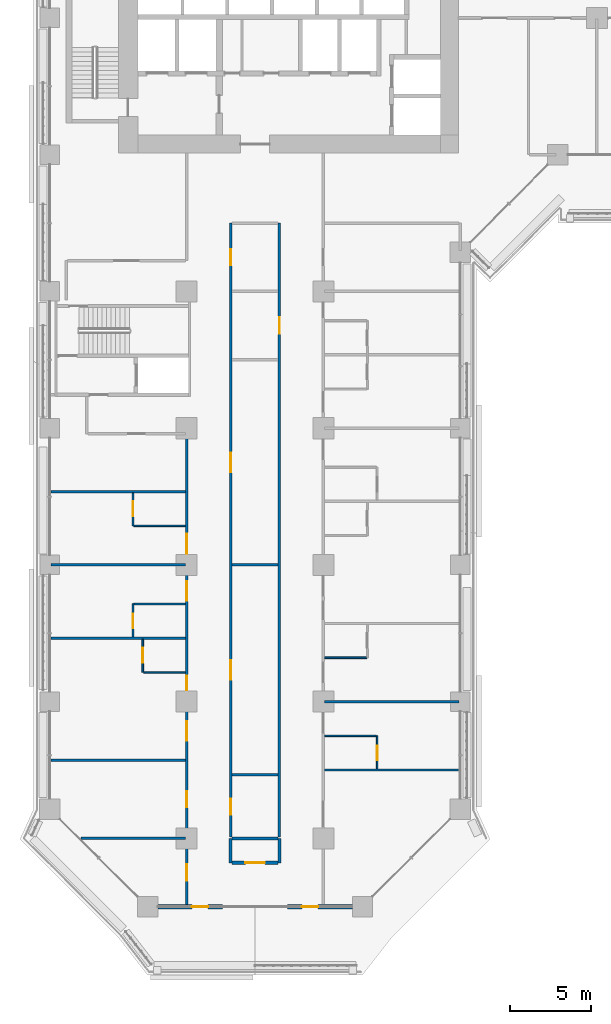
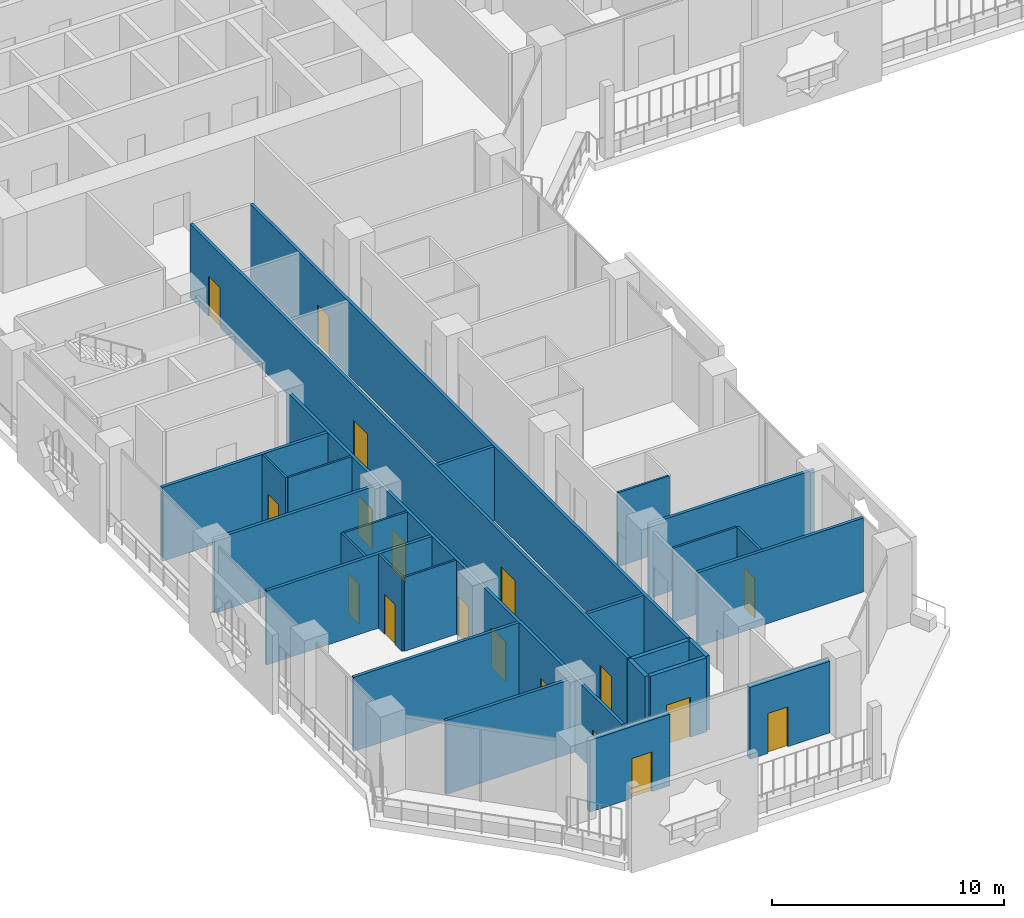
# One storey, part 13 of 29: 27 walls, 18 doors, 18 openings.
"""IFC4 building model written with IfcOpenShell, lengths in metres."""

from ifc_helpers import new_model, si_unit, direction, frame, frame_2d, origin, place, context, subcontext, project, spatial, rectangle, extrude, material, layer, layer_set, type_object, element, fill, save


model = new_model("IFC4")

# Units and contexts
model_context = context("Model", 3, precision=1e-05, world=origin(), true_north=direction((0.0, 1.0)))
body_context = subcontext(model_context, "Body", "Model", "MODEL_VIEW")
ifc_project = project(units=[si_unit("LENGTHUNIT", "METRE"), si_unit("AREAUNIT", "SQUARE_METRE"), si_unit("VOLUMEUNIT", "CUBIC_METRE"), si_unit("PLANEANGLEUNIT", "RADIAN"), si_unit("MASSUNIT", "GRAM", prefix="KILO")], contexts=[model_context])

# Site, building, storey
site_placement = place(None, origin())
site = spatial("IfcSite", under=ifc_project, at=site_placement, CompositionType="ELEMENT")
building_placement = place(site_placement, origin())
building = spatial("IfcBuilding", under=site, at=building_placement, Name="Kawkab Arch Medical Tower", CompositionType="ELEMENT")
storey_placement = place(building_placement, frame((0.0, 0.0, 64.39990234375)))
storey = spatial("IfcBuildingStorey", under=building, at=storey_placement, Name="L14", CompositionType="ELEMENT", Elevation=64.39990234375)

# Wall, opening, door
ifc_material_1 = material(Name="Bronze clad insulated wall panel")
ifc_layer_1 = layer(ifc_material_1, 0.25)
ifc_layer_set_1 = layer_set([ifc_layer_1], Name="Bronze clad insulated wall panel")
wall_type_1 = type_object("IfcWallType", Name="External wall bay 250", PredefinedType="SOLIDWALL", material=ifc_layer_set_1)
wall_1_placement = place(storey_placement, frame((6.625, -71.39990234375, 0.0), z_axis=(0.0, 0.0, 1.0), x_axis=(1.0, 0.0, 0.0)))
wall_1 = element("IfcWall", 1, at=wall_1_placement, inside=storey, type_object=wall_type_1, Name="External wall bay L14.R03.1.1", PredefinedType="SOLIDWALL", context=body_context, shape_type="SweptSolid", body=[
    extrude(rectangle(XDim=3.9833984375, YDim=0.25, at=frame_2d((1.99169921875, 0.0))), origin(), (0.0, 0.0, 1.0), 3.780029296875),
])
opening_1_placement = place(wall_1_placement, frame((2.091796875, 0.0, 0.0)))
opening_1 = element("IfcOpeningElement", 2, at=opening_1_placement, cuts=wall_1, Name="Opening W14-701", PredefinedType="OPENING", context=body_context, shape_type="SweptSolid", body=[
    extrude(rectangle(XDim=1.0, YDim=2.10009765625, at=frame_2d((0.5, 1.050048828125))), frame((0.0, 0.135009765625, 0.0), z_axis=(0.0, -1.0, 0.0), x_axis=(1.0, 0.0, 0.0)), (0.0, 0.0, 1.0), 0.27001953125),
])
ifc_material_2 = material(Name="Bronze anodised aluminium door with tinted glass", Category="aluminium")
door_type_1 = type_object("IfcDoorType", Name="Single external door 1000 x 2100", OperationType="SINGLE_SWING_LEFT", PredefinedType="DOOR", material=ifc_material_2)
door_1_placement = place(opening_1_placement, origin())
door_1 = element("IfcDoor", 3, at=door_1_placement, inside=storey, type_object=door_type_1, Name="External door L14.R03.1.1", OperationType="SINGLE_SWING_LEFT", OverallHeight=2.10009765625, OverallWidth=1.0, PredefinedType="DOOR", context=body_context, shape_type="SweptSolid", body=[
    extrude(rectangle(XDim=1.0, YDim=2.10009765625, at=frame_2d((0.5, 1.050048828125))), frame((0.0, 0.02490234375, 0.0), z_axis=(0.0, -1.0, 0.0), x_axis=(1.0, 0.0, 0.0)), (0.0, 0.0, 1.0), 0.050048828125),
])
fill(opening_1, door_1)

wall_2_placement = place(storey_placement, frame((14.591552734375, -71.39990234375, 0.0), z_axis=(0.0, 0.0, 1.0), x_axis=(1.0, 0.0, 0.0)))
wall_2 = element("IfcWall", 4, at=wall_2_placement, inside=storey, type_object=wall_type_1, Name="External wall bay L14.R03.1.3", PredefinedType="SOLIDWALL", context=body_context, shape_type="SweptSolid", body=[
    extrude(rectangle(XDim=3.9833984375, YDim=0.25, at=frame_2d((1.99169921875, 0.0))), origin(), (0.0, 0.0, 1.0), 3.780029296875),
])
opening_2_placement = place(wall_2_placement, frame((0.8916015625, 0.0, 0.0)))
opening_2 = element("IfcOpeningElement", 5, at=opening_2_placement, cuts=wall_2, Name="Opening W14-701", PredefinedType="OPENING", context=body_context, shape_type="SweptSolid", body=[
    extrude(rectangle(XDim=1.0, YDim=2.10009765625, at=frame_2d((0.5, 1.050048828125))), frame((0.0, 0.135009765625, 0.0), z_axis=(0.0, -1.0, 0.0), x_axis=(1.0, 0.0, 0.0)), (0.0, 0.0, 1.0), 0.27001953125),
])
door_2_placement = place(opening_2_placement, origin())
door_2 = element("IfcDoor", 6, at=door_2_placement, inside=storey, type_object=door_type_1, Name="External door L14.R03.1.3", OperationType="SINGLE_SWING_LEFT", OverallHeight=2.10009765625, OverallWidth=1.0, PredefinedType="DOOR", context=body_context, shape_type="SweptSolid", body=[
    extrude(rectangle(XDim=1.0, YDim=2.10009765625, at=frame_2d((0.5, 1.050048828125))), frame((0.0, 0.02490234375, 0.0), z_axis=(0.0, -1.0, 0.0), x_axis=(1.0, 0.0, 0.0)), (0.0, 0.0, 1.0), 0.050048828125),
])
fill(opening_2, door_2)

# Walls
ifc_material_3 = material(Name="Gypsum board partition on steel studs", Category="steel")
ifc_layer_2 = layer(ifc_material_3, 0.10009765625)
ifc_layer_set_2 = layer_set([ifc_layer_2], Name="Gypsum board partition on steel studs")
wall_type_2 = type_object("IfcWallType", Name="Partition 100", PredefinedType="PARTITIONING", material=ifc_layer_set_2)
wall_3_placement = place(storey_placement, frame((16.875, -60.89990234375, 0.0), z_axis=(0.0, 0.0, 1.0), x_axis=(1.0, 0.0, 0.0)))
element("IfcWall", 7, at=wall_3_placement, inside=storey, type_object=wall_type_2, Name="Partition 100 w001", PredefinedType="PARTITIONING", context=body_context, shape_type="SweptSolid", body=[
    extrude(rectangle(XDim=3.175048828125, YDim=0.10009765625, at=frame_2d((1.58740234375, 0.0))), origin(), (0.0, 0.0, 1.0), 3.900146484375),
])
wall_4_placement = place(storey_placement, frame((5.7509765625, -57.0, 0.0), z_axis=(0.0, 0.0, 1.0), x_axis=(1.0, 0.0, 0.0)))
element("IfcWall", 8, at=wall_4_placement, inside=storey, type_object=wall_type_2, Name="Partition 100 w002", PredefinedType="PARTITIONING", context=body_context, shape_type="SweptSolid", body=[
    extrude(rectangle(XDim=2.573974609375, YDim=0.10009765625, at=frame_2d((1.287109375, 0.0))), origin(), (0.0, 0.0, 1.0), 3.900146484375),
])
wall_5_placement = place(storey_placement, frame((16.875, -56.10009765625, 0.0), z_axis=(0.0, 0.0, 1.0), x_axis=(1.0, 0.0, 0.0)))
element("IfcWall", 9, at=wall_5_placement, inside=storey, type_object=wall_type_2, Name="Partition 100 w003", PredefinedType="PARTITIONING", context=body_context, shape_type="SweptSolid", body=[
    extrude(rectangle(XDim=2.574951171875, YDim=0.10009765625, at=frame_2d((1.28759765625, 0.0))), origin(), (0.0, 0.0, 1.0), 3.900146484375),
])
for number, where, z_axis, x_axis, name in (
    (10, (5.14990234375, -52.800048828125, 0.0), (0.0, 0.0, 1.0), (1.0, 0.0, 0.0), "Partition 100 w004"),
    (11, (5.14990234375, -48.0, 0.0), (0.0, 0.0, 1.0), (1.0, 0.0, 0.0), "Partition 100 w006"),
):
    element("IfcWall", number, at=place(storey_placement, frame(where, z_axis=z_axis, x_axis=x_axis)), inside=storey, type_object=wall_type_2, Name=name, PredefinedType="PARTITIONING", context=body_context, shape_type="SweptSolid", body=[
        extrude(rectangle(XDim=3.175048828125, YDim=0.10009765625, at=frame_2d((1.58740234375, 0.0))), origin(), (0.0, 0.0, 1.0), 3.900146484375),
    ])

# Wall, opening, door
wall_6_placement = place(storey_placement, frame((5.10009765625, -54.824951171875, 0.0), z_axis=(0.0, 0.0, 1.0), x_axis=(0.0, 1.0, 0.0)))
wall_6 = element("IfcWall", 12, at=wall_6_placement, inside=storey, type_object=wall_type_2, Name="Partition 100 w019", PredefinedType="PARTITIONING", context=body_context, shape_type="SweptSolid", body=[
    extrude(rectangle(XDim=2.02490234375, YDim=0.10009765625, at=frame_2d((1.012451171875, 0.0))), origin(), (0.0, 0.0, 1.0), 3.900146484375),
])
opening_3_placement = place(wall_6_placement, frame((0.52490234375, 0.0, 0.0)))
opening_3 = element("IfcOpeningElement", 13, at=opening_3_placement, cuts=wall_6, Name="Opening W14-020", PredefinedType="OPENING", context=body_context, shape_type="SweptSolid", body=[
    extrude(rectangle(XDim=0.89990234375, YDim=2.10009765625, at=frame_2d((0.449951171875, 1.050048828125))), frame((0.0, 0.06005859375, 0.0), z_axis=(0.0, -1.0, 0.0), x_axis=(1.0, 0.0, 0.0)), (0.0, 0.0, 1.0), 0.1201171875),
])
ifc_material_4 = material(Name="Timber door leaf", Category="wood")
door_type_2 = type_object("IfcDoorType", Name="Single door 900x2100", OperationType="NOTDEFINED", PredefinedType="DOOR", material=ifc_material_4)
door_3_placement = place(opening_3_placement, origin())
door_3 = element("IfcDoor", 14, at=door_3_placement, inside=storey, type_object=door_type_2, Name="Door W14-020", OperationType="SINGLE_SWING_RIGHT", OverallHeight=2.10009765625, OverallWidth=0.89990234375, PredefinedType="DOOR", context=body_context, shape_type="SweptSolid", body=[
    extrude(rectangle(XDim=0.89990234375, YDim=2.10009765625, at=frame_2d((0.449951171875, 1.050048828125))), frame((0.0, 0.02490234375, 0.0), z_axis=(0.0, -1.0, 0.0), x_axis=(1.0, 0.0, 0.0)), (0.0, 0.0, 1.0), 0.050048828125),
])
fill(opening_3, door_3)

wall_7_placement = place(storey_placement, frame((5.10009765625, -48.0, 0.0), z_axis=(0.0, 0.0, 1.0), x_axis=(0.0, 1.0, 0.0)))
wall_7 = element("IfcWall", 15, at=wall_7_placement, inside=storey, type_object=wall_type_2, Name="Partition 100 w020", PredefinedType="PARTITIONING", context=body_context, shape_type="SweptSolid", body=[
    extrude(rectangle(XDim=2.02490234375, YDim=0.10009765625, at=frame_2d((1.012451171875, 0.0))), origin(), (0.0, 0.0, 1.0), 3.900146484375),
])
opening_4_placement = place(wall_7_placement, frame((0.60009765625, 0.0, 0.0)))
opening_4 = element("IfcOpeningElement", 16, at=opening_4_placement, cuts=wall_7, Name="Opening W14-019", PredefinedType="OPENING", context=body_context, shape_type="SweptSolid", body=[
    extrude(rectangle(XDim=0.89990234375, YDim=2.10009765625, at=frame_2d((0.449951171875, 1.050048828125))), frame((0.0, 0.06005859375, 0.0), z_axis=(0.0, -1.0, 0.0), x_axis=(1.0, 0.0, 0.0)), (0.0, 0.0, 1.0), 0.1201171875),
])
door_4_placement = place(opening_4_placement, origin())
door_4 = element("IfcDoor", 17, at=door_4_placement, inside=storey, type_object=door_type_2, Name="Door W14-019", OperationType="SINGLE_SWING_RIGHT", OverallHeight=2.10009765625, OverallWidth=0.89990234375, PredefinedType="DOOR", context=body_context, shape_type="SweptSolid", body=[
    extrude(rectangle(XDim=0.89990234375, YDim=2.10009765625, at=frame_2d((0.449951171875, 1.050048828125))), frame((0.0, 0.02490234375, 0.0), z_axis=(0.0, -1.0, 0.0), x_axis=(1.0, 0.0, 0.0)), (0.0, 0.0, 1.0), 0.050048828125),
])
fill(opening_4, door_4)

wall_8_placement = place(storey_placement, frame((5.699951171875, -56.998046875, 0.0), z_axis=(0.0, 0.0, 1.0), x_axis=(0.0, 1.0, 0.0)))
wall_8 = element("IfcWall", 18, at=wall_8_placement, inside=storey, type_object=wall_type_2, Name="Partition 100 w021", PredefinedType="PARTITIONING", context=body_context, shape_type="SweptSolid", body=[
    extrude(rectangle(XDim=2.02294921875, YDim=0.10009765625, at=frame_2d((1.011474609375, 0.0))), origin(), (0.0, 0.0, 1.0), 3.900146484375),
])
opening_5_placement = place(wall_8_placement, frame((0.59912109375, 0.0, 0.0)))
opening_5 = element("IfcOpeningElement", 19, at=opening_5_placement, cuts=wall_8, Name="Opening W14-021", PredefinedType="OPENING", context=body_context, shape_type="SweptSolid", body=[
    extrude(rectangle(XDim=0.89990234375, YDim=2.10009765625, at=frame_2d((0.449951171875, 1.050048828125))), frame((0.0, 0.06005859375, 0.0), z_axis=(0.0, -1.0, 0.0), x_axis=(1.0, 0.0, 0.0)), (0.0, 0.0, 1.0), 0.1201171875),
])
door_5_placement = place(opening_5_placement, origin())
door_5 = element("IfcDoor", 20, at=door_5_placement, inside=storey, type_object=door_type_2, Name="Door W14-021", OperationType="SINGLE_SWING_LEFT", OverallHeight=2.10009765625, OverallWidth=0.89990234375, PredefinedType="DOOR", context=body_context, shape_type="SweptSolid", body=[
    extrude(rectangle(XDim=0.89990234375, YDim=2.10009765625, at=frame_2d((0.449951171875, 1.050048828125))), frame((0.0, 0.02490234375, 0.0), z_axis=(0.0, -1.0, 0.0), x_axis=(1.0, 0.0, 0.0)), (0.0, 0.0, 1.0), 0.050048828125),
])
fill(opening_5, door_5)

wall_9_placement = place(storey_placement, frame((20.10009765625, -62.925048828125, 0.0), z_axis=(0.0, 0.0, 1.0), x_axis=(0.0, 1.0, 0.0)))
wall_9 = element("IfcWall", 21, at=wall_9_placement, inside=storey, type_object=wall_type_2, Name="Partition 100 w025", PredefinedType="PARTITIONING", context=body_context, shape_type="SweptSolid", body=[
    extrude(rectangle(XDim=2.025146484375, YDim=0.10009765625, at=frame_2d((1.0126953125, 0.0))), origin(), (0.0, 0.0, 1.0), 3.900146484375),
])
opening_6_placement = place(wall_9_placement, frame((0.52490234375, 0.0, 0.0)))
opening_6 = element("IfcOpeningElement", 22, at=opening_6_placement, cuts=wall_9, Name="Opening W14-027", PredefinedType="OPENING", context=body_context, shape_type="SweptSolid", body=[
    extrude(rectangle(XDim=0.89990234375, YDim=2.10009765625, at=frame_2d((0.449951171875, 1.050048828125))), frame((0.0, 0.06005859375, 0.0), z_axis=(0.0, -1.0, 0.0), x_axis=(1.0, 0.0, 0.0)), (0.0, 0.0, 1.0), 0.1201171875),
])
door_6_placement = place(opening_6_placement, origin())
door_6 = element("IfcDoor", 23, at=door_6_placement, inside=storey, type_object=door_type_2, Name="Door W14-027", OperationType="SINGLE_SWING_RIGHT", OverallHeight=2.10009765625, OverallWidth=0.89990234375, PredefinedType="DOOR", context=body_context, shape_type="SweptSolid", body=[
    extrude(rectangle(XDim=0.89990234375, YDim=2.10009765625, at=frame_2d((0.449951171875, 1.050048828125))), frame((0.0, 0.02490234375, 0.0), z_axis=(0.0, -1.0, 0.0), x_axis=(1.0, 0.0, 0.0)), (0.0, 0.0, 1.0), 0.050048828125),
])
fill(opening_6, door_6)

# Walls
ifc_material_5 = material(Name="Gypsum board partition on steel studs, mineral wool", Category="steel")
ifc_layer_3 = layer(ifc_material_5, 0.14990234375)
ifc_layer_set_3 = layer_set([ifc_layer_3], Name="Gypsum board partition on steel studs, mineral wool")
wall_type_3 = type_object("IfcWallType", Name="Partition 150", PredefinedType="PARTITIONING", material=ifc_layer_set_3)
wall_10_placement = place(storey_placement, frame((1.9130859375, -67.199951171875, 0.0), z_axis=(0.0, 0.0, 1.0), x_axis=(1.0, 0.0, 0.0)))
element("IfcWall", 24, at=wall_10_placement, inside=storey, type_object=wall_type_3, Name="Partition 150 w040", PredefinedType="PARTITIONING", context=body_context, shape_type="SweptSolid", body=[
    extrude(rectangle(XDim=6.411865234375, YDim=0.14990234375, at=frame_2d((3.2060546875, 0.0))), origin(), (0.0, 0.0, 1.0), 3.900146484375),
])
wall_11_placement = place(storey_placement, frame((11.175048828125, -63.300048828125, 0.0), z_axis=(0.0, 0.0, 1.0), x_axis=(1.0, 0.0, 0.0)))
element("IfcWall", 25, at=wall_11_placement, inside=storey, type_object=wall_type_3, Name="Partition 150 w041", PredefinedType="PARTITIONING", context=body_context, shape_type="SweptSolid", body=[
    extrude(rectangle(XDim=2.849853515625, YDim=0.14990234375, at=frame_2d((1.4248046875, 0.0))), origin(), (0.0, 0.0, 1.0), 3.900146484375),
])
wall_12_placement = place(storey_placement, frame((16.875, -63.0, 0.0), z_axis=(0.0, 0.0, 1.0), x_axis=(1.0, 0.0, 0.0)))
element("IfcWall", 26, at=wall_12_placement, inside=storey, type_object=wall_type_3, Name="Partition 150 w042", PredefinedType="PARTITIONING", context=body_context, shape_type="SweptSolid", body=[
    extrude(rectangle(XDim=8.2451171875, YDim=0.14990234375, at=frame_2d((4.12255859375, 0.0))), origin(), (0.0, 0.0, 1.0), 3.900146484375),
])
wall_13_placement = place(storey_placement, frame((0.080078125, -62.39990234375, 0.0), z_axis=(0.0, 0.0, 1.0), x_axis=(1.0, 0.0, 0.0)))
element("IfcWall", 27, at=wall_13_placement, inside=storey, type_object=wall_type_3, Name="Partition 150 w043", PredefinedType="PARTITIONING", context=body_context, shape_type="SweptSolid", body=[
    extrude(rectangle(XDim=8.244873046875, YDim=0.14990234375, at=frame_2d((4.12255859375, 0.0))), origin(), (0.0, 0.0, 1.0), 3.900146484375),
])
wall_14_placement = place(storey_placement, frame((16.875, -58.800048828125, 0.0), z_axis=(0.0, 0.0, 1.0), x_axis=(1.0, 0.0, 0.0)))
element("IfcWall", 28, at=wall_14_placement, inside=storey, type_object=wall_type_3, Name="Partition 150 w044", PredefinedType="PARTITIONING", context=body_context, shape_type="SweptSolid", body=[
    extrude(rectangle(XDim=8.2451171875, YDim=0.14990234375, at=frame_2d((4.12255859375, 0.0))), origin(), (0.0, 0.0, 1.0), 3.900146484375),
])
for number, where, z_axis, x_axis, name in (
    (29, (0.080078125, -54.89990234375, 0.0), (0.0, 0.0, 1.0), (1.0, 0.0, 0.0), "Partition 150 w045"),
    (30, (0.080078125, -50.39990234375, 0.0), (0.0, 0.0, 1.0), (1.0, 0.0, 0.0), "Partition 150 w047"),
):
    element("IfcWall", number, at=place(storey_placement, frame(where, z_axis=z_axis, x_axis=x_axis)), inside=storey, type_object=wall_type_3, Name=name, PredefinedType="PARTITIONING", context=body_context, shape_type="SweptSolid", body=[
        extrude(rectangle(XDim=8.244873046875, YDim=0.14990234375, at=frame_2d((4.12255859375, 0.0))), origin(), (0.0, 0.0, 1.0), 3.900146484375),
    ])
wall_15_placement = place(storey_placement, frame((11.175048828125, -50.39990234375, 0.0), z_axis=(0.0, 0.0, 1.0), x_axis=(1.0, 0.0, 0.0)))
element("IfcWall", 31, at=wall_15_placement, inside=storey, type_object=wall_type_3, Name="Partition 150 w048", PredefinedType="PARTITIONING", context=body_context, shape_type="SweptSolid", body=[
    extrude(rectangle(XDim=2.849853515625, YDim=0.14990234375, at=frame_2d((1.4248046875, 0.0))), origin(), (0.0, 0.0, 1.0), 3.900146484375),
])
wall_16_placement = place(storey_placement, frame((0.080078125, -45.89990234375, 0.0), z_axis=(0.0, 0.0, 1.0), x_axis=(1.0, 0.0, 0.0)))
element("IfcWall", 32, at=wall_16_placement, inside=storey, type_object=wall_type_3, Name="Partition 150 w050", PredefinedType="PARTITIONING", context=body_context, shape_type="SweptSolid", body=[
    extrude(rectangle(XDim=8.244873046875, YDim=0.14990234375, at=frame_2d((4.12255859375, 0.0))), origin(), (0.0, 0.0, 1.0), 3.900146484375),
])

# Wall, openings, doors
wall_17_placement = place(storey_placement, frame((8.39990234375, -71.320068359375, 0.0), z_axis=(0.0, 0.0, 1.0), x_axis=(0.0, 1.0, 0.0)))
wall_17 = element("IfcWall", 33, at=wall_17_placement, inside=storey, type_object=wall_type_3, Name="Partition 150 w073", PredefinedType="PARTITIONING", context=body_context, shape_type="SweptSolid", body=[
    extrude(rectangle(XDim=28.969970703125, YDim=0.14990234375, at=frame_2d((14.48486328125, 0.0))), origin(), (0.0, 0.0, 1.0), 3.900146484375),
])
opening_7_placement = place(wall_17_placement, frame((21.6201171875, 0.0, 0.0)))
opening_7 = element("IfcOpeningElement", 34, at=opening_7_placement, cuts=wall_17, Name="Opening W14-065", PredefinedType="OPENING", context=body_context, shape_type="SweptSolid", body=[
    extrude(rectangle(XDim=1.199951171875, YDim=2.10009765625, at=frame_2d((0.60009765625, 1.050048828125))), frame((0.0, 0.0849609375, 0.0), z_axis=(0.0, -1.0, 0.0), x_axis=(1.0, 0.0, 0.0)), (0.0, 0.0, 1.0), 0.169921875),
])
opening_8_placement = place(wall_17_placement, frame((18.719970703125, 0.0, 0.0)))
opening_8 = element("IfcOpeningElement", 35, at=opening_8_placement, cuts=wall_17, Name="Opening W14-066", PredefinedType="OPENING", context=body_context, shape_type="SweptSolid", body=[
    extrude(rectangle(XDim=1.199951171875, YDim=2.10009765625, at=frame_2d((0.60009765625, 1.050048828125))), frame((0.0, 0.0849609375, 0.0), z_axis=(0.0, -1.0, 0.0), x_axis=(1.0, 0.0, 0.0)), (0.0, 0.0, 1.0), 0.169921875),
])
opening_9_placement = place(wall_17_placement, frame((10.1201171875, 0.0, 0.0)))
opening_9 = element("IfcOpeningElement", 36, at=opening_9_placement, cuts=wall_17, Name="Opening W14-067", PredefinedType="OPENING", context=body_context, shape_type="SweptSolid", body=[
    extrude(rectangle(XDim=1.199951171875, YDim=2.10009765625, at=frame_2d((0.60009765625, 1.050048828125))), frame((0.0, 0.0849609375, 0.0), z_axis=(0.0, -1.0, 0.0), x_axis=(1.0, 0.0, 0.0)), (0.0, 0.0, 1.0), 0.169921875),
])
opening_10_placement = place(wall_17_placement, frame((13.219970703125, 0.0, 0.0)))
opening_10 = element("IfcOpeningElement", 37, at=opening_10_placement, cuts=wall_17, Name="Opening W14-028", PredefinedType="OPENING", context=body_context, shape_type="SweptSolid", body=[
    extrude(rectangle(XDim=0.89990234375, YDim=2.10009765625, at=frame_2d((0.449951171875, 1.050048828125))), frame((0.0, 0.0849609375, 0.0), z_axis=(0.0, -1.0, 0.0), x_axis=(1.0, 0.0, 0.0)), (0.0, 0.0, 1.0), 0.169921875),
])
opening_11_placement = place(wall_17_placement, frame((6.02001953125, 0.0, 0.0)))
opening_11 = element("IfcOpeningElement", 38, at=opening_11_placement, cuts=wall_17, Name="Opening W14-041", PredefinedType="OPENING", context=body_context, shape_type="SweptSolid", body=[
    extrude(rectangle(XDim=1.0, YDim=2.10009765625, at=frame_2d((0.5, 1.050048828125))), frame((0.0, 0.0849609375, 0.0), z_axis=(0.0, -1.0, 0.0), x_axis=(1.0, 0.0, 0.0)), (0.0, 0.0, 1.0), 0.169921875),
])
opening_12_placement = place(wall_17_placement, frame((1.52001953125, 0.0, 0.0)))
opening_12 = element("IfcOpeningElement", 39, at=opening_12_placement, cuts=wall_17, Name="Opening W14-042", PredefinedType="OPENING", context=body_context, shape_type="SweptSolid", body=[
    extrude(rectangle(XDim=1.0, YDim=2.10009765625, at=frame_2d((0.5, 1.050048828125))), frame((0.0, 0.0849609375, 0.0), z_axis=(0.0, -1.0, 0.0), x_axis=(1.0, 0.0, 0.0)), (0.0, 0.0, 1.0), 0.169921875),
])
ifc_material_6 = material(Name="Hollow metal door leaf")
door_type_3 = type_object("IfcDoorType", Name="Single door 1000x2100 FD30S", OperationType="NOTDEFINED", PredefinedType="DOOR", material=ifc_material_6)
door_7_placement = place(opening_11_placement, origin())
door_7 = element("IfcDoor", 40, at=door_7_placement, inside=storey, type_object=door_type_3, Name="Door W14-041", OperationType="SINGLE_SWING_LEFT", OverallHeight=2.10009765625, OverallWidth=1.0, PredefinedType="DOOR", context=body_context, shape_type="SweptSolid", body=[
    extrude(rectangle(XDim=1.0, YDim=2.10009765625, at=frame_2d((0.5, 1.050048828125))), frame((0.0, 0.02490234375, 0.0), z_axis=(0.0, -1.0, 0.0), x_axis=(1.0, 0.0, 0.0)), (0.0, 0.0, 1.0), 0.050048828125),
])
fill(opening_11, door_7)
door_8_placement = place(opening_12_placement, origin())
door_8 = element("IfcDoor", 41, at=door_8_placement, inside=storey, type_object=door_type_3, Name="Door W14-042", OperationType="SINGLE_SWING_LEFT", OverallHeight=2.10009765625, OverallWidth=1.0, PredefinedType="DOOR", context=body_context, shape_type="SweptSolid", body=[
    extrude(rectangle(XDim=1.0, YDim=2.10009765625, at=frame_2d((0.5, 1.050048828125))), frame((0.0, 0.02490234375, 0.0), z_axis=(0.0, -1.0, 0.0), x_axis=(1.0, 0.0, 0.0)), (0.0, 0.0, 1.0), 0.050048828125),
])
fill(opening_12, door_8)
ifc_material_7 = material(Name="Hollow metal door leaf")
door_type_4 = type_object("IfcDoorType", Name="Single door 1200x2100 FD30S", OperationType="NOTDEFINED", PredefinedType="DOOR", material=ifc_material_7)
door_9_placement = place(opening_7_placement, origin())
door_9 = element("IfcDoor", 42, at=door_9_placement, inside=storey, type_object=door_type_4, Name="Door W14-065", OperationType="SINGLE_SWING_RIGHT", OverallHeight=2.10009765625, OverallWidth=1.199951171875, PredefinedType="DOOR", context=body_context, shape_type="SweptSolid", body=[
    extrude(rectangle(XDim=1.199951171875, YDim=2.10009765625, at=frame_2d((0.60009765625, 1.050048828125))), frame((0.0, 0.02490234375, 0.0), z_axis=(0.0, -1.0, 0.0), x_axis=(1.0, 0.0, 0.0)), (0.0, 0.0, 1.0), 0.050048828125),
])
fill(opening_7, door_9)
door_10_placement = place(opening_8_placement, origin())
door_10 = element("IfcDoor", 43, at=door_10_placement, inside=storey, type_object=door_type_4, Name="Door W14-066", OperationType="SINGLE_SWING_RIGHT", OverallHeight=2.10009765625, OverallWidth=1.199951171875, PredefinedType="DOOR", context=body_context, shape_type="SweptSolid", body=[
    extrude(rectangle(XDim=1.199951171875, YDim=2.10009765625, at=frame_2d((0.60009765625, 1.050048828125))), frame((0.0, 0.02490234375, 0.0), z_axis=(0.0, -1.0, 0.0), x_axis=(1.0, 0.0, 0.0)), (0.0, 0.0, 1.0), 0.050048828125),
])
fill(opening_8, door_10)
door_11_placement = place(opening_9_placement, origin())
door_11 = element("IfcDoor", 44, at=door_11_placement, inside=storey, type_object=door_type_4, Name="Door W14-067", OperationType="SINGLE_SWING_LEFT", OverallHeight=2.10009765625, OverallWidth=1.199951171875, PredefinedType="DOOR", context=body_context, shape_type="SweptSolid", body=[
    extrude(rectangle(XDim=1.199951171875, YDim=2.10009765625, at=frame_2d((0.60009765625, 1.050048828125))), frame((0.0, 0.02490234375, 0.0), z_axis=(0.0, -1.0, 0.0), x_axis=(1.0, 0.0, 0.0)), (0.0, 0.0, 1.0), 0.050048828125),
])
fill(opening_9, door_11)
ifc_material_8 = material(Name="Hollow metal door leaf")
door_type_5 = type_object("IfcDoorType", Name="Single door 900x2100 FD30S", OperationType="NOTDEFINED", PredefinedType="DOOR", material=ifc_material_8)
door_12_placement = place(opening_10_placement, origin())
door_12 = element("IfcDoor", 45, at=door_12_placement, inside=storey, type_object=door_type_5, Name="Door W14-028", OperationType="SINGLE_SWING_LEFT", OverallHeight=2.10009765625, OverallWidth=0.89990234375, PredefinedType="DOOR", context=body_context, shape_type="SweptSolid", body=[
    extrude(rectangle(XDim=0.89990234375, YDim=2.10009765625, at=frame_2d((0.449951171875, 1.050048828125))), frame((0.0, 0.02490234375, 0.0), z_axis=(0.0, -1.0, 0.0), x_axis=(1.0, 0.0, 0.0)), (0.0, 0.0, 1.0), 0.050048828125),
])
fill(opening_10, door_12)

wall_18_placement = place(storey_placement, frame((11.10009765625, -67.10009765625, 0.0), z_axis=(0.0, 0.0, 1.0), x_axis=(0.0, 1.0, 0.0)))
wall_18 = element("IfcWall", 46, at=wall_18_placement, inside=storey, type_object=wall_type_3, Name="Partition 150 w075", PredefinedType="PARTITIONING", context=body_context, shape_type="SweptSolid", body=[
    extrude(rectangle(XDim=37.7001953125, YDim=0.14990234375, at=frame_2d((18.85009765625, 0.0))), origin(), (0.0, 0.0, 1.0), 3.900146484375),
])
opening_13_placement = place(wall_18_placement, frame((35.10009765625, 0.0, 0.0)))
opening_13 = element("IfcOpeningElement", 47, at=opening_13_placement, cuts=wall_18, Name="Opening W14-043", PredefinedType="OPENING", context=body_context, shape_type="SweptSolid", body=[
    extrude(rectangle(XDim=1.0, YDim=2.10009765625, at=frame_2d((0.5, 1.050048828125))), frame((0.0, 0.0849609375, 0.0), z_axis=(0.0, -1.0, 0.0), x_axis=(1.0, 0.0, 0.0)), (0.0, 0.0, 1.0), 0.169921875),
])
opening_14_placement = place(wall_18_placement, frame((22.39990234375, 0.0, 0.0)))
opening_14 = element("IfcOpeningElement", 48, at=opening_14_placement, cuts=wall_18, Name="Opening W14-068", PredefinedType="OPENING", context=body_context, shape_type="SweptSolid", body=[
    extrude(rectangle(XDim=1.199951171875, YDim=2.10009765625, at=frame_2d((0.60009765625, 1.050048828125))), frame((0.0, 0.0849609375, 0.0), z_axis=(0.0, -1.0, 0.0), x_axis=(1.0, 0.0, 0.0)), (0.0, 0.0, 1.0), 0.169921875),
])
opening_15_placement = place(wall_18_placement, frame((9.64990234375, 0.0, 0.0)))
opening_15 = element("IfcOpeningElement", 49, at=opening_15_placement, cuts=wall_18, Name="Opening W14-069", PredefinedType="OPENING", context=body_context, shape_type="SweptSolid", body=[
    extrude(rectangle(XDim=1.199951171875, YDim=2.10009765625, at=frame_2d((0.60009765625, 1.050048828125))), frame((0.0, 0.0849609375, 0.0), z_axis=(0.0, -1.0, 0.0), x_axis=(1.0, 0.0, 0.0)), (0.0, 0.0, 1.0), 0.169921875),
])
opening_16_placement = place(wall_18_placement, frame((1.35009765625, 0.0, 0.0)))
opening_16 = element("IfcOpeningElement", 50, at=opening_16_placement, cuts=wall_18, Name="Opening W14-045", PredefinedType="OPENING", context=body_context, shape_type="SweptSolid", body=[
    extrude(rectangle(XDim=1.0, YDim=2.10009765625, at=frame_2d((0.5, 1.050048828125))), frame((0.0, 0.0849609375, 0.0), z_axis=(0.0, -1.0, 0.0), x_axis=(1.0, 0.0, 0.0)), (0.0, 0.0, 1.0), 0.169921875),
])
door_13_placement = place(opening_13_placement, origin())
door_13 = element("IfcDoor", 51, at=door_13_placement, inside=storey, type_object=door_type_3, Name="Door W14-043", OperationType="SINGLE_SWING_LEFT", OverallHeight=2.10009765625, OverallWidth=1.0, PredefinedType="DOOR", context=body_context, shape_type="SweptSolid", body=[
    extrude(rectangle(XDim=1.0, YDim=2.10009765625, at=frame_2d((0.5, 1.050048828125))), frame((0.0, 0.02490234375, 0.0), z_axis=(0.0, -1.0, 0.0), x_axis=(1.0, 0.0, 0.0)), (0.0, 0.0, 1.0), 0.050048828125),
])
fill(opening_13, door_13)
door_14_placement = place(opening_16_placement, origin())
door_14 = element("IfcDoor", 52, at=door_14_placement, inside=storey, type_object=door_type_3, Name="Door W14-045", OperationType="SINGLE_SWING_RIGHT", OverallHeight=2.10009765625, OverallWidth=1.0, PredefinedType="DOOR", context=body_context, shape_type="SweptSolid", body=[
    extrude(rectangle(XDim=1.0, YDim=2.10009765625, at=frame_2d((0.5, 1.050048828125))), frame((0.0, 0.02490234375, 0.0), z_axis=(0.0, -1.0, 0.0), x_axis=(1.0, 0.0, 0.0)), (0.0, 0.0, 1.0), 0.050048828125),
])
fill(opening_16, door_14)
door_15_placement = place(opening_14_placement, origin())
door_15 = element("IfcDoor", 53, at=door_15_placement, inside=storey, type_object=door_type_4, Name="Door W14-068", OperationType="SINGLE_SWING_LEFT", OverallHeight=2.10009765625, OverallWidth=1.199951171875, PredefinedType="DOOR", context=body_context, shape_type="SweptSolid", body=[
    extrude(rectangle(XDim=1.199951171875, YDim=2.10009765625, at=frame_2d((0.60009765625, 1.050048828125))), frame((0.0, 0.02490234375, 0.0), z_axis=(0.0, -1.0, 0.0), x_axis=(1.0, 0.0, 0.0)), (0.0, 0.0, 1.0), 0.050048828125),
])
fill(opening_14, door_15)
door_16_placement = place(opening_15_placement, origin())
door_16 = element("IfcDoor", 54, at=door_16_placement, inside=storey, type_object=door_type_4, Name="Door W14-069", OperationType="SINGLE_SWING_RIGHT", OverallHeight=2.10009765625, OverallWidth=1.199951171875, PredefinedType="DOOR", context=body_context, shape_type="SweptSolid", body=[
    extrude(rectangle(XDim=1.199951171875, YDim=2.10009765625, at=frame_2d((0.60009765625, 1.050048828125))), frame((0.0, 0.02490234375, 0.0), z_axis=(0.0, -1.0, 0.0), x_axis=(1.0, 0.0, 0.0)), (0.0, 0.0, 1.0), 0.050048828125),
])
fill(opening_15, door_16)

# Wall, opening, door
wall_19_placement = place(storey_placement, frame((14.10009765625, -67.10009765625, 0.0), z_axis=(0.0, 0.0, 1.0), x_axis=(0.0, 1.0, 0.0)))
wall_19 = element("IfcWall", 55, at=wall_19_placement, inside=storey, type_object=wall_type_3, Name="Partition 150 w076", PredefinedType="PARTITIONING", context=body_context, shape_type="SweptSolid", body=[
    extrude(rectangle(XDim=37.7001953125, YDim=0.14990234375, at=frame_2d((18.85009765625, 0.0))), origin(), (0.0, 0.0, 1.0), 3.900146484375),
])
opening_17_placement = place(wall_19_placement, frame((30.89990234375, 0.0, 0.0)))
opening_17 = element("IfcOpeningElement", 56, at=opening_17_placement, cuts=wall_19, Name="Opening W14-044", PredefinedType="OPENING", context=body_context, shape_type="SweptSolid", body=[
    extrude(rectangle(XDim=1.0, YDim=2.10009765625, at=frame_2d((0.5, 1.050048828125))), frame((0.0, 0.0849609375, 0.0), z_axis=(0.0, -1.0, 0.0), x_axis=(1.0, 0.0, 0.0)), (0.0, 0.0, 1.0), 0.169921875),
])
door_17_placement = place(opening_17_placement, origin())
door_17 = element("IfcDoor", 57, at=door_17_placement, inside=storey, type_object=door_type_3, Name="Door W14-044", OperationType="SINGLE_SWING_RIGHT", OverallHeight=2.10009765625, OverallWidth=1.0, PredefinedType="DOOR", context=body_context, shape_type="SweptSolid", body=[
    extrude(rectangle(XDim=1.0, YDim=2.10009765625, at=frame_2d((0.5, 1.050048828125))), frame((0.0, 0.02490234375, 0.0), z_axis=(0.0, -1.0, 0.0), x_axis=(1.0, 0.0, 0.0)), (0.0, 0.0, 1.0), 0.050048828125),
])
fill(opening_17, door_17)

ifc_material_9 = material(Name="Fire-rated gypsum board partition on steel studs", Category="steel")
ifc_layer_4 = layer(ifc_material_9, 0.199951171875)
ifc_layer_set_4 = layer_set([ifc_layer_4], Name="Fire-rated gypsum board partition on steel studs")
wall_type_4 = type_object("IfcWallType", Name="Protected partition 200", PredefinedType="PARTITIONING", material=ifc_layer_set_4)
wall_20_placement = place(storey_placement, frame((11.199951171875, -68.699951171875, 0.0), z_axis=(0.0, 0.0, 1.0), x_axis=(1.0, 0.0, 0.0)))
wall_20 = element("IfcWall", 58, at=wall_20_placement, inside=storey, type_object=wall_type_4, Name="Protected partition 200 w110", PredefinedType="PARTITIONING", context=body_context, shape_type="SweptSolid", body=[
    extrude(rectangle(XDim=2.800048828125, YDim=0.199951171875, at=frame_2d((1.39990234375, 0.0))), origin(), (0.0, 0.0, 1.0), 3.900146484375),
])
opening_18_placement = place(wall_20_placement, frame((0.800048828125, 0.0, 0.0)))
opening_18 = element("IfcOpeningElement", 59, at=opening_18_placement, cuts=wall_20, Name="Opening W14-075", PredefinedType="OPENING", context=body_context, shape_type="SweptSolid", body=[
    extrude(rectangle(XDim=1.199951171875, YDim=2.10009765625, at=frame_2d((0.60009765625, 1.050048828125))), frame((0.0, 0.10986328125, 0.0), z_axis=(0.0, -1.0, 0.0), x_axis=(1.0, 0.0, 0.0)), (0.0, 0.0, 1.0), 0.219970703125),
])
ifc_material_10 = material(Name="Hollow metal door leaf")
door_type_6 = type_object("IfcDoorType", Name="Single door 1200x2100 FD60", OperationType="NOTDEFINED", PredefinedType="DOOR", material=ifc_material_10)
door_18_placement = place(opening_18_placement, origin())
door_18 = element("IfcDoor", 60, at=door_18_placement, inside=storey, type_object=door_type_6, Name="Door W14-075", OperationType="SINGLE_SWING_LEFT", OverallHeight=2.10009765625, OverallWidth=1.199951171875, PredefinedType="DOOR", context=body_context, shape_type="SweptSolid", body=[
    extrude(rectangle(XDim=1.199951171875, YDim=2.10009765625, at=frame_2d((0.60009765625, 1.050048828125))), frame((0.0, 0.02490234375, 0.0), z_axis=(0.0, -1.0, 0.0), x_axis=(1.0, 0.0, 0.0)), (0.0, 0.0, 1.0), 0.050048828125),
])
fill(opening_18, door_18)

# Walls
wall_21_placement = place(storey_placement, frame((11.199951171875, -67.199951171875, 0.0), z_axis=(0.0, 0.0, 1.0), x_axis=(1.0, 0.0, 0.0)))
element("IfcWall", 61, at=wall_21_placement, inside=storey, type_object=wall_type_4, Name="Protected partition 200 w111", PredefinedType="PARTITIONING", context=body_context, shape_type="SweptSolid", body=[
    extrude(rectangle(XDim=2.800048828125, YDim=0.199951171875, at=frame_2d((1.39990234375, 0.0))), origin(), (0.0, 0.0, 1.0), 3.900146484375),
])
for number, where, z_axis, x_axis, name in (
    (62, (11.10009765625, -68.699951171875, 0.0), (0.0, 0.0, 1.0), (0.0, 1.0, 0.0), "Protected partition 200 w112"),
    (63, (14.10009765625, -68.699951171875, 0.0), (0.0, 0.0, 1.0), (0.0, 1.0, 0.0), "Protected partition 200 w113"),
):
    element("IfcWall", number, at=place(storey_placement, frame(where, z_axis=z_axis, x_axis=x_axis)), inside=storey, type_object=wall_type_4, Name=name, PredefinedType="PARTITIONING", context=body_context, shape_type="SweptSolid", body=[
        extrude(rectangle(XDim=1.5, YDim=0.199951171875, at=frame_2d((0.75, 0.0))), origin(), (0.0, 0.0, 1.0), 3.900146484375),
    ])

save(model, "model.ifc")
